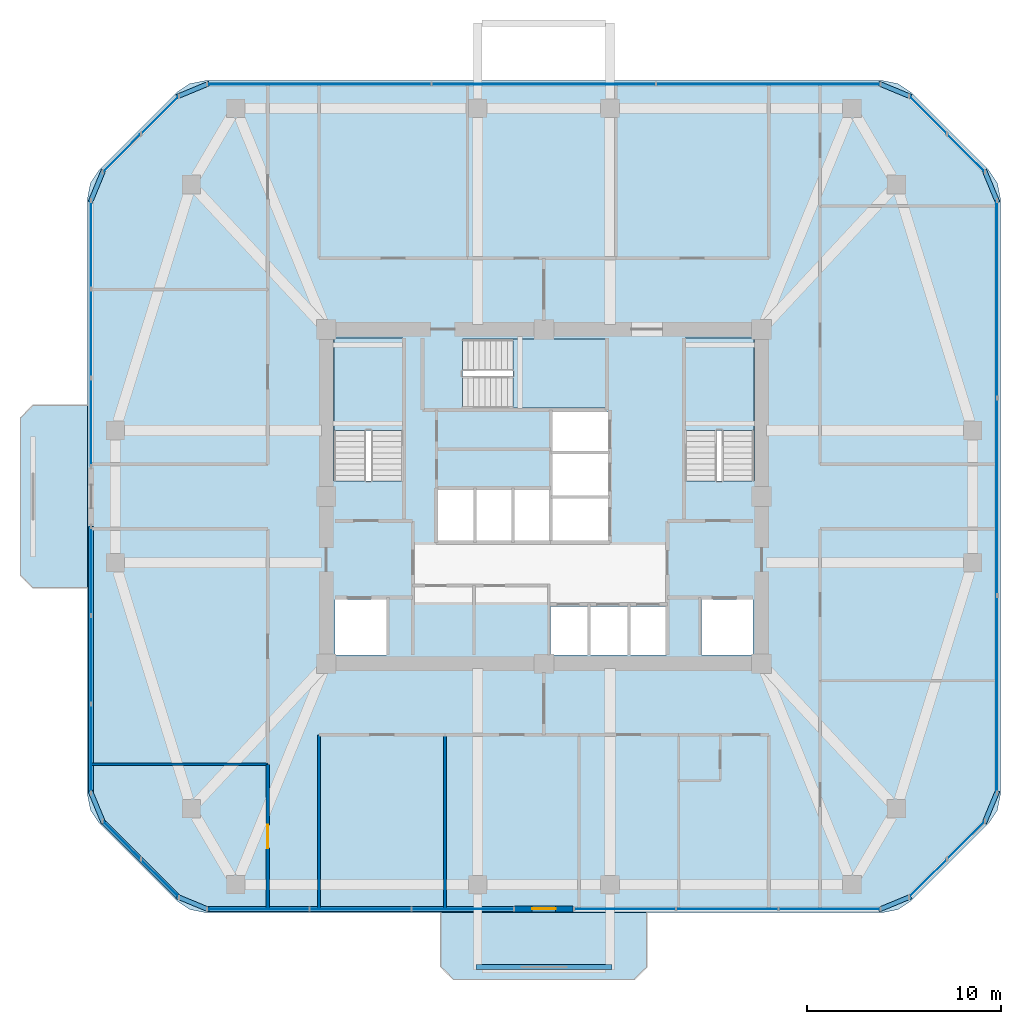
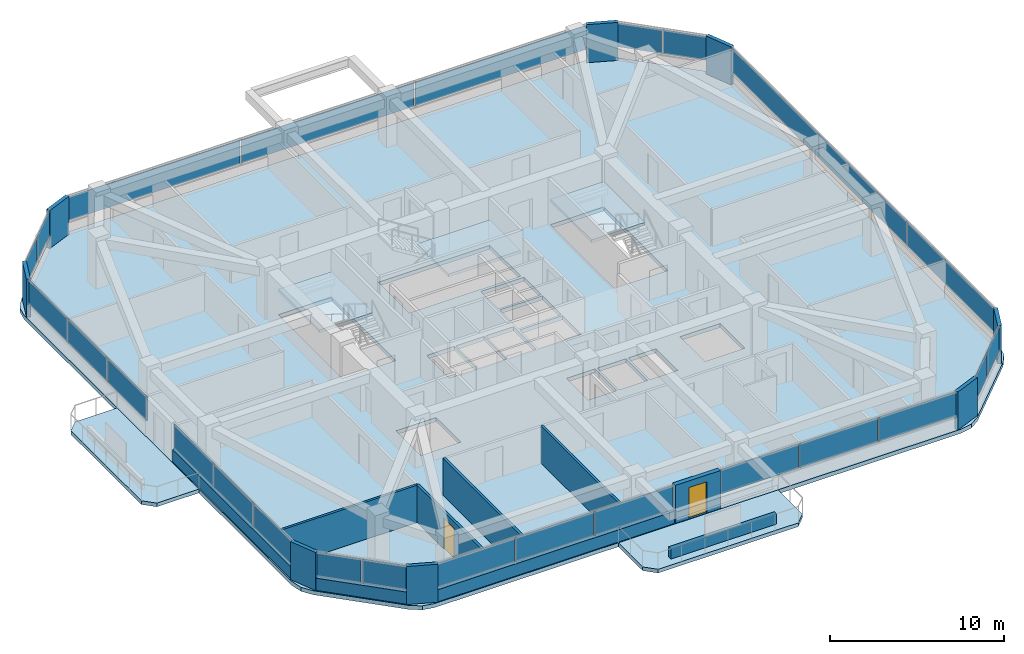
# One storey, part 6 of 12: 34 plates, 9 walls, 6 slabs, 2 doors, 2 openings, 13 elements without a shape of their own.
"""IFC4 building model written with IfcOpenShell, lengths in metres."""

from ifc_helpers import new_model, si_unit, derived_unit, direction, frame, frame_2d, origin, origin_2d, place, context, subcontext, project, spatial, polyline, rectangle, outline, extrude, material, layer, layer_set, type_object, element, fill, aggregate, save


model = new_model("IFC4")

# Units and contexts
model_context = context("Model", 3, precision=1e-05, world=origin(), true_north=direction((0.0, 1.0)))
body_context = subcontext(model_context, "Body", "Model", "MODEL_VIEW")
ifc_project = project(units=[si_unit("LENGTHUNIT", "METRE"), si_unit("AREAUNIT", "SQUARE_METRE"), si_unit("VOLUMEUNIT", "CUBIC_METRE"), si_unit("PLANEANGLEUNIT", "RADIAN"), si_unit("MASSUNIT", "GRAM", prefix="KILO"), derived_unit("THERMALTRANSMITTANCEUNIT", [(si_unit("POWERUNIT", "WATT"), 1), (si_unit("LENGTHUNIT", "METRE"), -2), (si_unit("THERMODYNAMICTEMPERATUREUNIT", "KELVIN"), -1)])], contexts=[model_context])

# Site, building, storey
site_placement = place(None, origin())
site = spatial("IfcSite", under=ifc_project, at=site_placement, CompositionType="ELEMENT")
building_placement = place(site_placement, origin())
building = spatial("IfcBuilding", under=site, at=building_placement, Name="Koralith Skygarden Medical Center", CompositionType="ELEMENT")
storey_placement = place(building_placement, frame((0.0, 0.0, 163.6201171875)))
storey = spatial("IfcBuildingStorey", under=building, at=storey_placement, Name="L42", CompositionType="ELEMENT", Elevation=163.6201171875)

# Curtain wall, plates
ifc_material_1 = material(Name="Clear Laminated Glass", Category="glass")
curtain_wall_type = type_object("IfcCurtainWallType", Name="CW-4 Zone 3 Waist High-Wind Curtain Wall", PredefinedType="NOTDEFINED", material=ifc_material_1)
curtain_wall_1_placement = place(storey_placement, origin())
curtain_wall_1 = element("IfcCurtainWall", 1, at=curtain_wall_1_placement, inside=storey, type_object=curtain_wall_type, Name="Curtain Wall CW-L42-S-L", PredefinedType="NOTDEFINED")
ifc_layer_1 = layer(ifc_material_1, 0.035888671875)
ifc_layer_set_1 = layer_set([ifc_layer_1], Name="Clear Laminated Glass")
plate_type_1 = type_object("IfcPlateType", Name="CW-4 Hurricane Laminated IGU Panel 36", PredefinedType="CURTAIN_PANEL", material=ifc_layer_set_1)
plate_1_placement = place(storey_placement, frame((22.302001953125, 4.679931640625, 0.919921875), z_axis=(0.0, 0.0, 1.0), x_axis=(1.0, 0.0, 0.0)))
plate_1 = element("IfcPlate", 2, at=plate_1_placement, type_object=plate_type_1, Name="CW-L42-S-L Glazed Panel 1", PredefinedType="CURTAIN_PANEL", context=body_context, shape_type="SweptSolid", body=[
    extrude(rectangle(XDim=5.173095703125, YDim=0.035888671875, at=origin_2d()), origin(), (0.0, 0.0, 1.0), 1.679931640625),
])
plate_2_placement = place(storey_placement, frame((27.56494140625, 4.679931640625, 0.919921875), z_axis=(0.0, 0.0, 1.0), x_axis=(1.0, 0.0, 0.0)))
plate_2 = element("IfcPlate", 3, at=plate_2_placement, type_object=plate_type_1, Name="CW-L42-S-L Glazed Panel 2", PredefinedType="CURTAIN_PANEL", context=body_context, shape_type="SweptSolid", body=[
    extrude(rectangle(XDim=5.173095703125, YDim=0.035888671875, at=origin_2d()), origin(), (0.0, 0.0, 1.0), 1.679931640625),
])
plate_3_placement = place(storey_placement, frame((32.827880859375, 4.679931640625, 0.919921875), z_axis=(0.0, 0.0, 1.0), x_axis=(1.0, 0.0, 0.0)))
plate_3 = element("IfcPlate", 4, at=plate_3_placement, type_object=plate_type_1, Name="CW-L42-S-L Glazed Panel 3", PredefinedType="CURTAIN_PANEL", context=body_context, shape_type="SweptSolid", body=[
    extrude(rectangle(XDim=5.173095703125, YDim=0.035888671875, at=origin_2d()), origin(), (0.0, 0.0, 1.0), 1.679931640625),
])
aggregate(curtain_wall_1, [plate_1, plate_2, plate_3])

curtain_wall_2_placement = place(storey_placement, origin())
curtain_wall_2 = element("IfcCurtainWall", 5, at=curtain_wall_2_placement, inside=storey, type_object=curtain_wall_type, Name="Curtain Wall CW-L42-S-R", PredefinedType="NOTDEFINED")
plate_4_placement = place(storey_placement, frame((41.1708984375, 4.679931640625, 0.919921875), z_axis=(0.0, 0.0, 1.0), x_axis=(1.0, 0.0, 0.0)))
plate_4 = element("IfcPlate", 6, at=plate_4_placement, type_object=plate_type_1, Name="CW-L42-S-R Glazed Panel 1", PredefinedType="CURTAIN_PANEL", context=body_context, shape_type="SweptSolid", body=[
    extrude(rectangle(XDim=5.173095703125, YDim=0.035888671875, at=origin_2d()), origin(), (0.0, 0.0, 1.0), 1.679931640625),
])
plate_5_placement = place(storey_placement, frame((46.43408203125, 4.679931640625, 0.919921875), z_axis=(0.0, 0.0, 1.0), x_axis=(1.0, 0.0, 0.0)))
plate_5 = element("IfcPlate", 7, at=plate_5_placement, type_object=plate_type_1, Name="CW-L42-S-R Glazed Panel 2", PredefinedType="CURTAIN_PANEL", context=body_context, shape_type="SweptSolid", body=[
    extrude(rectangle(XDim=5.173095703125, YDim=0.035888671875, at=origin_2d()), origin(), (0.0, 0.0, 1.0), 1.679931640625),
])
plate_6_placement = place(storey_placement, frame((51.697021484375, 4.679931640625, 0.919921875), z_axis=(0.0, 0.0, 1.0), x_axis=(1.0, 0.0, 0.0)))
plate_6 = element("IfcPlate", 8, at=plate_6_placement, type_object=plate_type_1, Name="CW-L42-S-R Glazed Panel 3", PredefinedType="CURTAIN_PANEL", context=body_context, shape_type="SweptSolid", body=[
    extrude(rectangle(XDim=5.173095703125, YDim=0.035888671875, at=origin_2d()), origin(), (0.0, 0.0, 1.0), 1.679931640625),
])
aggregate(curtain_wall_2, [plate_4, plate_5, plate_6])

curtain_wall_3_placement = place(storey_placement, origin())
curtain_wall_3 = element("IfcCurtainWall", 9, at=curtain_wall_3_placement, inside=storey, type_object=curtain_wall_type, Name="Curtain Wall CW-L42-SE", PredefinedType="NOTDEFINED")
plate_7_placement = place(storey_placement, frame((56.760986328125, 6.261962890625, 0.919921875), z_axis=(0.0, 0.0, 1.0), x_axis=(0.707106781187, 0.707106781187, 0.0)))
plate_7 = element("IfcPlate", 10, at=plate_7_placement, type_object=plate_type_1, Name="CW-L42-SE Glazed Panel 1", PredefinedType="CURTAIN_PANEL", context=body_context, shape_type="SweptSolid", body=[
    extrude(rectangle(XDim=2.68408203125, YDim=0.035888671875, at=origin_2d()), origin(), (0.0, 0.0, 1.0), 1.679931640625),
])
plate_8_placement = place(storey_placement, frame((58.721923828125, 8.222900390625, 0.919921875), z_axis=(0.0, 0.0, 1.0), x_axis=(0.707106781187, 0.707106781187, 0.0)))
plate_8 = element("IfcPlate", 11, at=plate_8_placement, type_object=plate_type_1, Name="CW-L42-SE Glazed Panel 2", PredefinedType="CURTAIN_PANEL", context=body_context, shape_type="SweptSolid", body=[
    extrude(rectangle(XDim=2.68408203125, YDim=0.035888671875, at=origin_2d()), origin(), (0.0, 0.0, 1.0), 1.679931640625),
])
aggregate(curtain_wall_3, [plate_7, plate_8])

curtain_wall_4_placement = place(storey_placement, origin())
curtain_wall_4 = element("IfcCurtainWall", 12, at=curtain_wall_4_placement, inside=storey, type_object=curtain_wall_type, Name="Curtain Wall CW-L42-E", PredefinedType="NOTDEFINED")
plate_9_placement = place(storey_placement, frame((60.303955078125, 15.737060546875, 0.919921875), z_axis=(0.0, 0.0, 1.0), x_axis=(0.0, 1.0, 0.0)))
plate_9 = element("IfcPlate", 13, at=plate_9_placement, type_object=plate_type_1, Name="CW-L42-E Glazed Panel 1", PredefinedType="CURTAIN_PANEL", context=body_context, shape_type="SweptSolid", body=[
    extrude(rectangle(XDim=10.072998046875, YDim=0.035888671875, at=origin_2d()), origin(), (0.0, 0.0, 1.0), 1.679931640625),
])
plate_10_placement = place(storey_placement, frame((60.303955078125, 25.89990234375, 0.919921875), z_axis=(0.0, 0.0, 1.0), x_axis=(0.0, 1.0, 0.0)))
plate_10 = element("IfcPlate", 14, at=plate_10_placement, type_object=plate_type_1, Name="CW-L42-E Glazed Panel 2", PredefinedType="CURTAIN_PANEL", context=body_context, shape_type="SweptSolid", body=[
    extrude(rectangle(XDim=10.072998046875, YDim=0.035888671875, at=origin_2d()), origin(), (0.0, 0.0, 1.0), 1.679931640625),
])
plate_11_placement = place(storey_placement, frame((60.303955078125, 36.06298828125, 0.919921875), z_axis=(0.0, 0.0, 1.0), x_axis=(0.0, 1.0, 0.0)))
plate_11 = element("IfcPlate", 15, at=plate_11_placement, type_object=plate_type_1, Name="CW-L42-E Glazed Panel 3", PredefinedType="CURTAIN_PANEL", context=body_context, shape_type="SweptSolid", body=[
    extrude(rectangle(XDim=10.072998046875, YDim=0.035888671875, at=origin_2d()), origin(), (0.0, 0.0, 1.0), 1.679931640625),
])
aggregate(curtain_wall_4, [plate_9, plate_10, plate_11])

curtain_wall_5_placement = place(storey_placement, origin())
curtain_wall_5 = element("IfcCurtainWall", 16, at=curtain_wall_5_placement, inside=storey, type_object=curtain_wall_type, Name="Curtain Wall CW-L42-NE", PredefinedType="NOTDEFINED")
plate_12_placement = place(storey_placement, frame((58.721923828125, 43.576904296875, 0.919921875), z_axis=(0.0, 0.0, 1.0), x_axis=(-0.707106781187, 0.707106781187, 0.0)))
plate_12 = element("IfcPlate", 17, at=plate_12_placement, type_object=plate_type_1, Name="CW-L42-NE Glazed Panel 1", PredefinedType="CURTAIN_PANEL", context=body_context, shape_type="SweptSolid", body=[
    extrude(rectangle(XDim=2.68408203125, YDim=0.035888671875, at=origin_2d()), origin(), (0.0, 0.0, 1.0), 1.679931640625),
])
plate_13_placement = place(storey_placement, frame((56.760986328125, 45.5380859375, 0.919921875), z_axis=(0.0, 0.0, 1.0), x_axis=(-0.707106781187, 0.707106781187, 0.0)))
plate_13 = element("IfcPlate", 18, at=plate_13_placement, type_object=plate_type_1, Name="CW-L42-NE Glazed Panel 2", PredefinedType="CURTAIN_PANEL", context=body_context, shape_type="SweptSolid", body=[
    extrude(rectangle(XDim=2.68408203125, YDim=0.035888671875, at=origin_2d()), origin(), (0.0, 0.0, 1.0), 1.679931640625),
])
aggregate(curtain_wall_5, [plate_12, plate_13])

curtain_wall_6_placement = place(storey_placement, origin())
curtain_wall_6 = element("IfcCurtainWall", 19, at=curtain_wall_6_placement, inside=storey, type_object=curtain_wall_type, Name="Curtain Wall CW-L42-N", PredefinedType="NOTDEFINED")
plate_14_placement = place(storey_placement, frame((48.552978515625, 47.1201171875, 0.919921875), z_axis=(0.0, 0.0, 1.0), x_axis=(-1.0, 0.0, 0.0)))
plate_14 = element("IfcPlate", 20, at=plate_14_placement, type_object=plate_type_1, Name="CW-L42-N Glazed Panel 1", PredefinedType="CURTAIN_PANEL", context=body_context, shape_type="SweptSolid", body=[
    extrude(rectangle(XDim=11.462890625, YDim=0.035888671875, at=origin_2d()), origin(), (0.0, 0.0, 1.0), 1.679931640625),
])
plate_15_placement = place(storey_placement, frame((37.0, 47.1201171875, 0.919921875), z_axis=(0.0, 0.0, 1.0), x_axis=(-1.0, 0.0, 0.0)))
plate_15 = element("IfcPlate", 21, at=plate_15_placement, type_object=plate_type_1, Name="CW-L42-N Glazed Panel 2", PredefinedType="CURTAIN_PANEL", context=body_context, shape_type="SweptSolid", body=[
    extrude(rectangle(XDim=11.462890625, YDim=0.035888671875, at=origin_2d()), origin(), (0.0, 0.0, 1.0), 1.679931640625),
])
plate_16_placement = place(storey_placement, frame((25.447021484375, 47.1201171875, 0.919921875), z_axis=(0.0, 0.0, 1.0), x_axis=(-1.0, 0.0, 0.0)))
plate_16 = element("IfcPlate", 22, at=plate_16_placement, type_object=plate_type_1, Name="CW-L42-N Glazed Panel 3", PredefinedType="CURTAIN_PANEL", context=body_context, shape_type="SweptSolid", body=[
    extrude(rectangle(XDim=11.462890625, YDim=0.035888671875, at=origin_2d()), origin(), (0.0, 0.0, 1.0), 1.679931640625),
])
aggregate(curtain_wall_6, [plate_14, plate_15, plate_16])

curtain_wall_7_placement = place(storey_placement, origin())
curtain_wall_7 = element("IfcCurtainWall", 23, at=curtain_wall_7_placement, inside=storey, type_object=curtain_wall_type, Name="Curtain Wall CW-L42-NW", PredefinedType="NOTDEFINED")
plate_17_placement = place(storey_placement, frame((17.239013671875, 45.5380859375, 0.919921875), z_axis=(0.0, 0.0, 1.0), x_axis=(-0.707106781187, -0.707106781187, 0.0)))
plate_17 = element("IfcPlate", 24, at=plate_17_placement, type_object=plate_type_1, Name="CW-L42-NW Glazed Panel 1", PredefinedType="CURTAIN_PANEL", context=body_context, shape_type="SweptSolid", body=[
    extrude(rectangle(XDim=2.68408203125, YDim=0.035888671875, at=origin_2d()), origin(), (0.0, 0.0, 1.0), 1.679931640625),
])
plate_18_placement = place(storey_placement, frame((15.278076171875, 43.576904296875, 0.919921875), z_axis=(0.0, 0.0, 1.0), x_axis=(-0.707106781187, -0.707106781187, 0.0)))
plate_18 = element("IfcPlate", 25, at=plate_18_placement, type_object=plate_type_1, Name="CW-L42-NW Glazed Panel 2", PredefinedType="CURTAIN_PANEL", context=body_context, shape_type="SweptSolid", body=[
    extrude(rectangle(XDim=2.68408203125, YDim=0.035888671875, at=origin_2d()), origin(), (0.0, 0.0, 1.0), 1.679931640625),
])
aggregate(curtain_wall_7, [plate_17, plate_18])

curtain_wall_8_placement = place(storey_placement, origin())
curtain_wall_8 = element("IfcCurtainWall", 26, at=curtain_wall_8_placement, inside=storey, type_object=curtain_wall_type, Name="Curtain Wall CW-L42-W-L", PredefinedType="NOTDEFINED")
plate_19_placement = place(storey_placement, frame((13.696044921875, 38.861083984375, 0.919921875), z_axis=(0.0, 0.0, 1.0), x_axis=(0.0, -1.0, 0.0)))
plate_19 = element("IfcPlate", 27, at=plate_19_placement, type_object=plate_type_1, Name="CW-L42-W-L Glazed Panel 1", PredefinedType="CURTAIN_PANEL", context=body_context, shape_type="SweptSolid", body=[
    extrude(rectangle(XDim=4.47802734375, YDim=0.035888671875, at=origin_2d()), origin(), (0.0, 0.0, 1.0), 1.679931640625),
])
plate_20_placement = place(storey_placement, frame((13.696044921875, 34.29296875, 0.919921875), z_axis=(0.0, 0.0, 1.0), x_axis=(0.0, -1.0, 0.0)))
plate_20 = element("IfcPlate", 28, at=plate_20_placement, type_object=plate_type_1, Name="CW-L42-W-L Glazed Panel 2", PredefinedType="CURTAIN_PANEL", context=body_context, shape_type="SweptSolid", body=[
    extrude(rectangle(XDim=4.47802734375, YDim=0.035888671875, at=origin_2d()), origin(), (0.0, 0.0, 1.0), 1.679931640625),
])
plate_21_placement = place(storey_placement, frame((13.696044921875, 29.72412109375, 0.919921875), z_axis=(0.0, 0.0, 1.0), x_axis=(0.0, -1.0, 0.0)))
plate_21 = element("IfcPlate", 29, at=plate_21_placement, type_object=plate_type_1, Name="CW-L42-W-L Glazed Panel 3", PredefinedType="CURTAIN_PANEL", context=body_context, shape_type="SweptSolid", body=[
    extrude(rectangle(XDim=4.47802734375, YDim=0.035888671875, at=origin_2d()), origin(), (0.0, 0.0, 1.0), 1.679931640625),
])
aggregate(curtain_wall_8, [plate_19, plate_20, plate_21])

curtain_wall_9_placement = place(storey_placement, origin())
curtain_wall_9 = element("IfcCurtainWall", 30, at=curtain_wall_9_placement, inside=storey, type_object=curtain_wall_type, Name="Curtain Wall CW-L42-W-R", PredefinedType="NOTDEFINED")
plate_22_placement = place(storey_placement, frame((13.696044921875, 22.075927734375, 0.919921875), z_axis=(0.0, 0.0, 1.0), x_axis=(0.0, -1.0, 0.0)))
plate_22 = element("IfcPlate", 31, at=plate_22_placement, type_object=plate_type_1, Name="CW-L42-W-R Glazed Panel 1", PredefinedType="CURTAIN_PANEL", context=body_context, shape_type="SweptSolid", body=[
    extrude(rectangle(XDim=4.47802734375, YDim=0.035888671875, at=origin_2d()), origin(), (0.0, 0.0, 1.0), 1.679931640625),
])
plate_23_placement = place(storey_placement, frame((13.696044921875, 17.508056640625, 0.919921875), z_axis=(0.0, 0.0, 1.0), x_axis=(0.0, -1.0, 0.0)))
plate_23 = element("IfcPlate", 32, at=plate_23_placement, type_object=plate_type_1, Name="CW-L42-W-R Glazed Panel 2", PredefinedType="CURTAIN_PANEL", context=body_context, shape_type="SweptSolid", body=[
    extrude(rectangle(XDim=4.47802734375, YDim=0.035888671875, at=origin_2d()), origin(), (0.0, 0.0, 1.0), 1.679931640625),
])
plate_24_placement = place(storey_placement, frame((13.696044921875, 12.93896484375, 0.919921875), z_axis=(0.0, 0.0, 1.0), x_axis=(0.0, -1.0, 0.0)))
plate_24 = element("IfcPlate", 33, at=plate_24_placement, type_object=plate_type_1, Name="CW-L42-W-R Glazed Panel 3", PredefinedType="CURTAIN_PANEL", context=body_context, shape_type="SweptSolid", body=[
    extrude(rectangle(XDim=4.47802734375, YDim=0.035888671875, at=origin_2d()), origin(), (0.0, 0.0, 1.0), 1.679931640625),
])
aggregate(curtain_wall_9, [plate_22, plate_23, plate_24])

curtain_wall_10_placement = place(storey_placement, origin())
curtain_wall_10 = element("IfcCurtainWall", 34, at=curtain_wall_10_placement, inside=storey, type_object=curtain_wall_type, Name="Curtain Wall CW-L42-SW", PredefinedType="NOTDEFINED")
plate_25_placement = place(storey_placement, frame((15.278076171875, 8.222900390625, 0.919921875), z_axis=(0.0, 0.0, 1.0), x_axis=(0.707106781187, -0.707106781187, 0.0)))
plate_25 = element("IfcPlate", 35, at=plate_25_placement, type_object=plate_type_1, Name="CW-L42-SW Glazed Panel 1", PredefinedType="CURTAIN_PANEL", context=body_context, shape_type="SweptSolid", body=[
    extrude(rectangle(XDim=2.68408203125, YDim=0.035888671875, at=origin_2d()), origin(), (0.0, 0.0, 1.0), 1.679931640625),
])
plate_26_placement = place(storey_placement, frame((17.239013671875, 6.261962890625, 0.919921875), z_axis=(0.0, 0.0, 1.0), x_axis=(0.707106781187, -0.707106781187, 0.0)))
plate_26 = element("IfcPlate", 36, at=plate_26_placement, type_object=plate_type_1, Name="CW-L42-SW Glazed Panel 2", PredefinedType="CURTAIN_PANEL", context=body_context, shape_type="SweptSolid", body=[
    extrude(rectangle(XDim=2.68408203125, YDim=0.035888671875, at=origin_2d()), origin(), (0.0, 0.0, 1.0), 1.679931640625),
])
aggregate(curtain_wall_10, [plate_25, plate_26])

# Slabs
ifc_material_2 = material(Name="Concrete C45/55", Category="concrete")
ifc_layer_2 = layer(ifc_material_2, 0.260009765625)
ifc_layer_set_2 = layer_set([ifc_layer_2], Name="Concrete C45/55")
slab_type_1 = type_object("IfcSlabType", Name="Cantilevered Planted Balcony Slab 260", PredefinedType="FLOOR", material=ifc_layer_set_2)
slab_1_placement = place(storey_placement, frame((0.0, 0.0, -0.260009765625)))
element("IfcSlab", 37, at=slab_1_placement, inside=storey, type_object=slab_type_1, Name="L42 S Planted Sky-Garden Balcony Slab", PredefinedType="FLOOR", context=body_context, shape_type="SweptSolid", body=[
    extrude(outline(polyline([(32.35009765625, 1.050048828125), (41.64990234375, 1.050048828125), (42.300048828125, 1.699951171875), (42.300048828125, 4.5), (31.699951171875, 4.5), (31.699951171875, 1.699951171875), (32.35009765625, 1.050048828125)])), origin(), (0.0, 0.0, 1.0), 0.260009765625),
])
slab_2_placement = place(storey_placement, frame((0.0, 0.0, -0.260009765625)))
element("IfcSlab", 38, at=slab_2_placement, inside=storey, type_object=slab_type_1, Name="L42 W Planted Sky-Garden Balcony Slab", PredefinedType="FLOOR", context=body_context, shape_type="SweptSolid", body=[
    extrude(outline(polyline([(10.716064453125, 21.199951171875), (13.51611328125, 21.199951171875), (13.51611328125, 30.60009765625), (10.716064453125, 30.60009765625), (10.06591796875, 29.949951171875), (10.06591796875, 21.85009765625), (10.716064453125, 21.199951171875)])), origin(), (0.0, 0.0, 1.0), 0.260009765625),
])

# Stair, slab
stair_type = type_object("IfcStairType", Name="Core Exit Dogleg Concrete Stair", PredefinedType="HALF_TURN_STAIR", material=ifc_material_2)
stair_1_placement = place(storey_placement, origin())
stair_1 = element("IfcStair", 39, at=stair_1_placement, inside=storey, type_object=stair_type, Name="L42 Smokeproof Exit Stair ST1", PredefinedType="HALF_TURN_STAIR")
ifc_layer_3 = layer(ifc_material_2, 0.199951171875)
ifc_layer_set_3 = layer_set([ifc_layer_3], Name="Concrete C45/55")
slab_type_2 = type_object("IfcSlabType", Name="Core Exit Concrete Stair Landing 200", PredefinedType="LANDING", material=ifc_layer_set_3)
slab_3_placement = place(storey_placement, frame((0.0, 0.0, 1.599853515625)))
slab_3 = element("IfcSlab", 40, at=slab_3_placement, type_object=slab_type_2, Name="ST1 landing 1", PredefinedType="LANDING", context=body_context, shape_type="SweptSolid", body=[
    extrude(outline(polyline([(29.75, 29.31005859375), (29.75, 34.050048828125), (26.199951171875, 34.050048828125), (26.199951171875, 29.31005859375), (29.75, 29.31005859375)])), origin(), (0.0, 0.0, 1.0), 0.199951171875),
])
aggregate(stair_1, [slab_3])

stair_2_placement = place(storey_placement, origin())
stair_2 = element("IfcStair", 41, at=stair_2_placement, inside=storey, type_object=stair_type, Name="L42 Smokeproof Exit Stair ST2", PredefinedType="HALF_TURN_STAIR")
slab_4_placement = place(storey_placement, frame((0.0, 0.0, 1.599853515625)))
slab_4 = element("IfcSlab", 42, at=slab_4_placement, type_object=slab_type_2, Name="ST2 landing 1", PredefinedType="LANDING", context=body_context, shape_type="SweptSolid", body=[
    extrude(outline(polyline([(47.800048828125, 29.31005859375), (47.800048828125, 34.050048828125), (44.25, 34.050048828125), (44.25, 29.31005859375), (47.800048828125, 29.31005859375)])), origin(), (0.0, 0.0, 1.0), 0.199951171875),
])
aggregate(stair_2, [slab_4])

stair_3_placement = place(storey_placement, origin())
stair_3 = element("IfcStair", 43, at=stair_3_placement, inside=storey, type_object=stair_type, Name="L42 Smokeproof Exit Stair ST3", PredefinedType="HALF_TURN_STAIR")
slab_5_placement = place(storey_placement, frame((0.0, 0.0, 1.599853515625)))
slab_5 = element("IfcSlab", 44, at=slab_5_placement, type_object=slab_type_2, Name="ST3 landing 1", PredefinedType="LANDING", context=body_context, shape_type="SweptSolid", body=[
    extrude(outline(polyline([(35.409912109375, 30.449951171875), (40.199951171875, 30.449951171875), (40.199951171875, 34.0), (35.409912109375, 34.0), (35.409912109375, 30.449951171875)])), origin(), (0.0, 0.0, 1.0), 0.199951171875),
])
aggregate(stair_3, [slab_5])

# Slab
ifc_layer_4 = layer(ifc_material_2, 0.280029296875)
ifc_layer_set_4 = layer_set([ifc_layer_4], Name="Concrete C45/55")
slab_type_3 = type_object("IfcSlabType", Name="Post-Tensioned Ward Floor Plate 280", PredefinedType="FLOOR", material=ifc_layer_set_4)
slab_6_placement = place(storey_placement, frame((0.0, 0.0, -0.280029296875)))
element("IfcSlab", 45, at=slab_6_placement, inside=storey, type_object=slab_type_3, Name="Level L42 Structural Floor Slab", PredefinedType="FLOOR", context=body_context, shape_type="SweptSolid", body=[
    extrude(outline(polyline([(18.1298828125, 5.0859375), (18.779052734375, 4.652099609375), (19.5439453125, 4.5), (54.4560546875, 4.5), (55.220947265625, 4.652099609375), (55.8701171875, 5.0859375), (59.89794921875, 9.114013671875), (60.33203125, 9.762939453125), (60.48388671875, 10.528076171875), (60.48388671875, 41.27197265625), (60.33203125, 42.037109375), (59.89794921875, 42.68603515625), (55.8701171875, 46.714111328125), (55.220947265625, 47.14794921875), (54.4560546875, 47.300048828125), (19.5439453125, 47.300048828125), (18.779052734375, 47.14794921875), (18.1298828125, 46.714111328125), (14.10205078125, 42.68603515625), (13.66796875, 42.037109375), (13.51611328125, 41.27197265625), (13.51611328125, 10.528076171875), (13.66796875, 9.762939453125), (14.10205078125, 9.114013671875), (18.1298828125, 5.0859375)]), holes=[polyline([(26.199951171875, 26.705078125), (29.75, 26.705078125), (29.75, 34.050048828125), (26.199951171875, 34.050048828125), (26.199951171875, 26.705078125)]), polyline([(44.25, 26.705078125), (47.800048828125, 26.705078125), (47.800048828125, 34.050048828125), (44.25, 34.050048828125), (44.25, 26.705078125)]), polyline([(32.804931640625, 30.449951171875), (40.199951171875, 30.449951171875), (40.199951171875, 34.0), (32.804931640625, 34.0), (32.804931640625, 30.449951171875)]), polyline([(26.25, 17.75), (28.89990234375, 17.75), (28.89990234375, 20.60009765625), (26.25, 20.60009765625), (26.25, 17.75)]), polyline([(45.10009765625, 17.75), (47.75, 17.75), (47.75, 20.60009765625), (45.10009765625, 20.60009765625), (45.10009765625, 17.75)]), polyline([(37.35009765625, 17.75), (39.25, 17.75), (39.25, 20.25), (37.35009765625, 20.25), (37.35009765625, 17.75)]), polyline([(39.39990234375, 17.75), (41.300048828125, 17.75), (41.300048828125, 20.25), (39.39990234375, 20.25), (39.39990234375, 17.75)]), polyline([(41.449951171875, 17.75), (43.300048828125, 17.75), (43.300048828125, 20.25), (41.449951171875, 20.25), (41.449951171875, 17.75)]), polyline([(31.550048828125, 23.64990234375), (33.39990234375, 23.64990234375), (33.39990234375, 26.25), (31.550048828125, 26.25), (31.550048828125, 23.64990234375)]), polyline([(33.5, 23.64990234375), (35.35009765625, 23.64990234375), (35.35009765625, 26.25), (33.5, 26.25), (33.5, 23.64990234375)]), polyline([(35.449951171875, 23.64990234375), (37.300048828125, 23.64990234375), (37.300048828125, 26.25), (35.449951171875, 26.25), (35.449951171875, 23.64990234375)]), polyline([(37.449951171875, 23.64990234375), (40.300048828125, 23.64990234375), (40.300048828125, 25.800048828125), (37.449951171875, 25.800048828125), (37.449951171875, 23.64990234375)]), polyline([(37.449951171875, 25.949951171875), (40.300048828125, 25.949951171875), (40.300048828125, 28.10009765625), (37.449951171875, 28.10009765625), (37.449951171875, 25.949951171875)]), polyline([(37.449951171875, 28.25), (40.300048828125, 28.25), (40.300048828125, 30.25), (37.449951171875, 30.25), (37.449951171875, 28.25)])]), origin(), (0.0, 0.0, 1.0), 0.280029296875),
])

# Plates
ifc_material_3 = material(Name="Warm Oolitic Limestone Cladding", Category="masonry")
ifc_layer_5 = layer(ifc_material_3, 0.239990234375)
ifc_layer_set_5 = layer_set([ifc_layer_5], Name="Warm Oolitic Limestone Cladding")
plate_type_2 = type_object("IfcPlateType", Name="Rounded-Corner Oolitic Limestone Cladding Panel 240", PredefinedType="USERDEFINED", material=ifc_layer_set_5)
for number, where, z_axis, x_axis, name in (
    (46, (55.054931640625, 4.97998046875, 0.0), (0.0, 0.0, 1.0), (0.92388487569, 0.382670532536, 0.0), "L42 Rounded-Corner Limestone Pier 1"),
    (47, (60.00390625, 9.929931640625, 0.0), (0.0, 0.0, 1.0), (0.382670532536, 0.92388487569, 0.0), "L42 Rounded-Corner Limestone Pier 2"),
    (48, (60.00390625, 41.8701171875, 0.0), (0.0, 0.0, 1.0), (-0.382670532536, 0.92388487569, 0.0), "L42 Rounded-Corner Limestone Pier 3"),
    (49, (55.054931640625, 46.819091796875, 0.0), (0.0, 0.0, 1.0), (-0.92388487569, 0.382670532536, 0.0), "L42 Rounded-Corner Limestone Pier 4"),
    (50, (18.945068359375, 46.819091796875, 0.0), (0.0, 0.0, 1.0), (-0.92388487569, -0.382670532536, 0.0), "L42 Rounded-Corner Limestone Pier 5"),
    (51, (13.9970703125, 41.8701171875, 0.0), (0.0, 0.0, 1.0), (-0.382670532536, -0.92388487569, 0.0), "L42 Rounded-Corner Limestone Pier 6"),
    (52, (13.9970703125, 9.929931640625, 0.0), (0.0, 0.0, 1.0), (0.382670532536, -0.92388487569, 0.0), "L42 Rounded-Corner Limestone Pier 7"),
    (53, (18.945068359375, 4.97998046875, 0.0), (0.0, 0.0, 1.0), (0.92388487569, -0.382670532536, 0.0), "L42 Rounded-Corner Limestone Pier 8"),
):
    element("IfcPlate", number, at=place(storey_placement, frame(where, z_axis=z_axis, x_axis=x_axis)), inside=storey, type_object=plate_type_2, Name=name, ObjectType="LIMESTONE CLADDING", PredefinedType="USERDEFINED", context=body_context, shape_type="SweptSolid", body=[
        extrude(rectangle(XDim=1.81103515625, YDim=0.239990234375, at=origin_2d()), origin(), (0.0, 0.0, 1.0), 2.669921875),
    ])

# Walls
ifc_material_4 = material(Name="Gypsum Board Partition")
ifc_layer_6 = layer(ifc_material_4, 0.14990234375)
ifc_layer_set_6 = layer_set([ifc_layer_6], Name="Gypsum Board Partition")
wall_type_1 = type_object("IfcWallType", Name="Clinical Acoustic Partition 150", PredefinedType="PARTITIONING", material=ifc_layer_set_6)
wall_1_placement = place(storey_placement, frame((31.9140625, 13.639892578125, 0.0), z_axis=(0.0, 0.0, 1.0), x_axis=(0.0, -1.0, 0.0)))
element("IfcWall", 54, at=wall_1_placement, inside=storey, type_object=wall_type_1, Name="L42 Clinical Acoustic Partition 150 W-PART-L42-S-01", PredefinedType="PARTITIONING", context=body_context, shape_type="SweptSolid", body=[
    extrude(rectangle(XDim=8.93994140625, YDim=0.14990234375, at=frame_2d((4.469970703125, 0.0))), origin(), (0.0, 0.0, 1.0), 2.60986328125),
])
wall_2_placement = place(storey_placement, frame((22.7900390625, 12.125, 0.0), z_axis=(0.0, 0.0, 1.0), x_axis=(-1.0, 0.0, 0.0)))
element("IfcWall", 55, at=wall_2_placement, inside=storey, type_object=wall_type_1, Name="L42 Clinical Acoustic Partition 150 W-PART-L42-WS-01", PredefinedType="PARTITIONING", context=body_context, shape_type="SweptSolid", body=[
    extrude(rectangle(XDim=9.073974609375, YDim=0.14990234375, at=frame_2d((4.537109375, 0.0))), origin(), (0.0, 0.0, 1.0), 2.60986328125),
])
ifc_layer_7 = layer(ifc_material_4, 0.1650390625)
ifc_layer_set_7 = layer_set([ifc_layer_7], Name="Gypsum Board Partition")
wall_type_2 = type_object("IfcWallType", Name="Clinical Corridor Partition 165", PredefinedType="PARTITIONING", material=ifc_layer_set_7)
wall_3_placement = place(storey_placement, frame((25.429931640625, 4.699951171875, 0.0), z_axis=(0.0, 0.0, 1.0), x_axis=(0.0, 1.0, 0.0)))
element("IfcWall", 56, at=wall_3_placement, inside=storey, type_object=wall_type_2, Name="L42 Clinical Corridor Partition 165 W-HCOR-L42-SW", PredefinedType="PARTITIONING", context=body_context, shape_type="SweptSolid", body=[
    extrude(rectangle(XDim=8.93994140625, YDim=0.1650390625, at=frame_2d((4.469970703125, 0.0))), origin(), (0.0, 0.0, 1.0), 2.60986328125),
])

# Wall, opening, door
wall_4_placement = place(storey_placement, frame((22.7900390625, 4.699951171875, 0.0), z_axis=(0.0, 0.0, 1.0), x_axis=(0.0, 1.0, 0.0)))
wall_4 = element("IfcWall", 57, at=wall_4_placement, inside=storey, type_object=wall_type_2, Name="L42 Clinical Corridor Partition 165 W-CORR-L42-WS-01", PredefinedType="PARTITIONING", context=body_context, shape_type="SweptSolid", body=[
    extrude(rectangle(XDim=7.425048828125, YDim=0.1650390625, at=frame_2d((3.71240234375, 0.0))), origin(), (0.0, 0.0, 1.0), 2.60986328125),
])
opening_1_placement = place(wall_4_placement, frame((3.112060546875, 0.0, 0.0)))
opening_1 = element("IfcOpeningElement", 58, at=opening_1_placement, cuts=wall_4, Name="Opening D-CLN", PredefinedType="OPENING", context=body_context, shape_type="SweptSolid", body=[
    extrude(rectangle(XDim=1.199951171875, YDim=2.14990234375, at=frame_2d((0.60009765625, 1.074951171875))), frame((0.0, 0.092529296875, 0.0), z_axis=(0.0, -1.0, 0.0), x_axis=(1.0, 0.0, 0.0)), (0.0, 0.0, 1.0), 0.18505859375),
])
ifc_material_5 = material(Name="Aluminium 6063-T6", Category="aluminium")
door_type_1 = type_object("IfcDoorType", Name="Clinical Corridor Door D-CLN 1200", OperationType="NOTDEFINED", PredefinedType="DOOR", material=ifc_material_5)
door_1_placement = place(opening_1_placement, frame((1.199951171875, 0.0, 0.0), z_axis=(0.0, 0.0, 1.0), x_axis=(-1.0, 0.0, 0.0)))
door_1 = element("IfcDoor", 59, at=door_1_placement, inside=storey, type_object=door_type_1, Name="L42 Perinatal Ultrasound Exam Room 08 Door", OperationType="SINGLE_SWING_LEFT", OverallHeight=2.14990234375, OverallWidth=1.199951171875, PredefinedType="DOOR", context=body_context, shape_type="SweptSolid", body=[
    extrude(rectangle(XDim=1.199951171875, YDim=2.14990234375, at=frame_2d((0.60009765625, 1.074951171875))), frame((0.0, 0.02490234375, 0.0), z_axis=(0.0, -1.0, 0.0), x_axis=(1.0, 0.0, 0.0)), (0.0, 0.0, 1.0), 0.050048828125),
])
fill(opening_1, door_1)

# Walls
ifc_layer_8 = layer(ifc_material_3, 0.239990234375)
ifc_layer_set_8 = layer_set([ifc_layer_8], Name="Warm Oolitic Limestone Cladding")
wall_type_3 = type_object("IfcWallType", Name="Limestone Spandrel Sill Backup Wall 240", PredefinedType="SOLIDWALL", material=ifc_layer_set_8)
wall_5_placement = place(storey_placement, frame((19.6708984375, 4.679931640625, 0.0), z_axis=(0.0, 0.0, 1.0), x_axis=(1.0, 0.0, 0.0)))
element("IfcWall", 60, at=wall_5_placement, inside=storey, type_object=wall_type_3, Name="L42 Sill Spandrel S-L", PredefinedType="SOLIDWALL", context=body_context, shape_type="SweptSolid", body=[
    extrude(rectangle(XDim=15.7880859375, YDim=0.239990234375, at=frame_2d((7.89404296875, 0.0))), origin(), (0.0, 0.0, 1.0), 0.849853515625),
])
wall_6_placement = place(storey_placement, frame((13.696044921875, 24.360107421875, 0.0), z_axis=(0.0, 0.0, 1.0), x_axis=(0.0, -1.0, 0.0)))
element("IfcWall", 61, at=wall_6_placement, inside=storey, type_object=wall_type_3, Name="L42 Sill Spandrel W-R", PredefinedType="SOLIDWALL", context=body_context, shape_type="SweptSolid", body=[
    extrude(rectangle(XDim=13.705078125, YDim=0.239990234375, at=frame_2d((6.8525390625, 0.0))), origin(), (0.0, 0.0, 1.0), 0.849853515625),
])
wall_7_placement = place(storey_placement, frame((14.297119140625, 9.2041015625, 0.0), z_axis=(0.0, 0.0, 1.0), x_axis=(0.707084777957, -0.707128783731, 0.0)))
element("IfcWall", 62, at=wall_7_placement, inside=storey, type_object=wall_type_3, Name="L42 Sill Spandrel SW", PredefinedType="SOLIDWALL", context=body_context, shape_type="SweptSolid", body=[
    extrude(rectangle(XDim=5.5478515625, YDim=0.239990234375, at=frame_2d((2.77392578125, 0.0))), origin(), (0.0, 0.0, 1.0), 0.849853515625),
])

# Wall, opening, door
ifc_layer_9 = layer(ifc_material_3, 0.300048828125)
ifc_layer_set_9 = layer_set([ifc_layer_9], Name="Warm Oolitic Limestone Cladding")
wall_type_4 = type_object("IfcWallType", Name="Oolitic Limestone Insulated Facade Wall 300", PredefinedType="SOLIDWALL", material=ifc_layer_set_9)
wall_8_placement = place(storey_placement, frame((35.4990234375, 4.679931640625, 0.0), z_axis=(0.0, 0.0, 1.0), x_axis=(1.0, 0.0, 0.0)))
wall_8 = element("IfcWall", 63, at=wall_8_placement, inside=storey, type_object=wall_type_4, Name="L42 Terrace Portal Wall S", PredefinedType="SOLIDWALL", context=body_context, shape_type="SweptSolid", body=[
    extrude(rectangle(XDim=3.0, YDim=0.300048828125, at=frame_2d((1.5, 0.0))), origin(), (0.0, 0.0, 1.0), 2.669921875),
])
opening_2_placement = place(wall_8_placement, frame((0.89990234375, 0.0, 0.0)))
opening_2 = element("IfcOpeningElement", 64, at=opening_2_placement, cuts=wall_8, Name="Opening D-BAL", PredefinedType="OPENING", context=body_context, shape_type="SweptSolid", body=[
    extrude(rectangle(XDim=1.199951171875, YDim=2.199951171875, at=frame_2d((0.60009765625, 1.10009765625))), frame((0.0, 0.159912109375, 0.0), z_axis=(0.0, -1.0, 0.0), x_axis=(1.0, 0.0, 0.0)), (0.0, 0.0, 1.0), 0.320068359375),
])
door_type_2 = type_object("IfcDoorType", Name="Planted Balcony Glazed Terrace Door D-BAL 1200", OperationType="NOTDEFINED", PredefinedType="DOOR", material=ifc_material_5)
door_2_placement = place(opening_2_placement, origin())
door_2 = element("IfcDoor", 65, at=door_2_placement, inside=storey, type_object=door_type_2, Name="L42 S Outdoor Terrace Access Door", OperationType="SINGLE_SWING_LEFT", OverallHeight=2.199951171875, OverallWidth=1.199951171875, PredefinedType="DOOR", context=body_context, shape_type="SweptSolid", body=[
    extrude(rectangle(XDim=1.199951171875, YDim=2.199951171875, at=frame_2d((0.60009765625, 1.10009765625))), frame((0.0, 0.02490234375, 0.0), z_axis=(0.0, -1.0, 0.0), x_axis=(1.0, 0.0, 0.0)), (0.0, 0.0, 1.0), 0.050048828125),
])
fill(opening_2, door_2)

# Wall
ifc_material_6 = material(Name="Precast concrete C40/50", Category="concrete")
ifc_layer_10 = layer(ifc_material_6, 0.25)
ifc_layer_set_10 = layer_set([ifc_layer_10], Name="Precast concrete C40/50")
wall_type_5 = type_object("IfcWallType", Name="Structural Concrete Balcony Planter Kerb 250", PredefinedType="PARAPET", material=ifc_layer_set_10)
wall_9_placement = place(storey_placement, frame((33.5, 1.699951171875, 0.0), z_axis=(0.0, 0.0, 1.0), x_axis=(1.0, 0.0, 0.0)))
element("IfcWall", 66, at=wall_9_placement, inside=storey, type_object=wall_type_5, Name="L42 S Structural Tree PLANTER Box", PredefinedType="PARAPET", context=body_context, shape_type="SweptSolid", body=[
    extrude(rectangle(XDim=7.0, YDim=0.25, at=frame_2d((3.5, 0.0))), origin(), (0.0, 0.0, 1.0), 0.719970703125),
])

save(model, "model.ifc")
